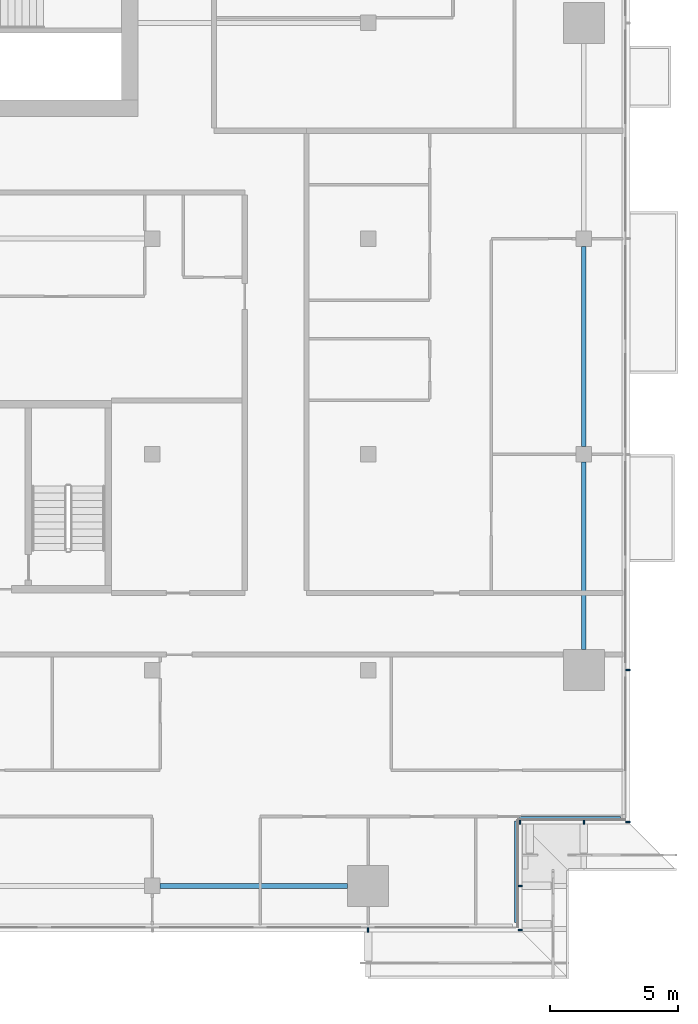
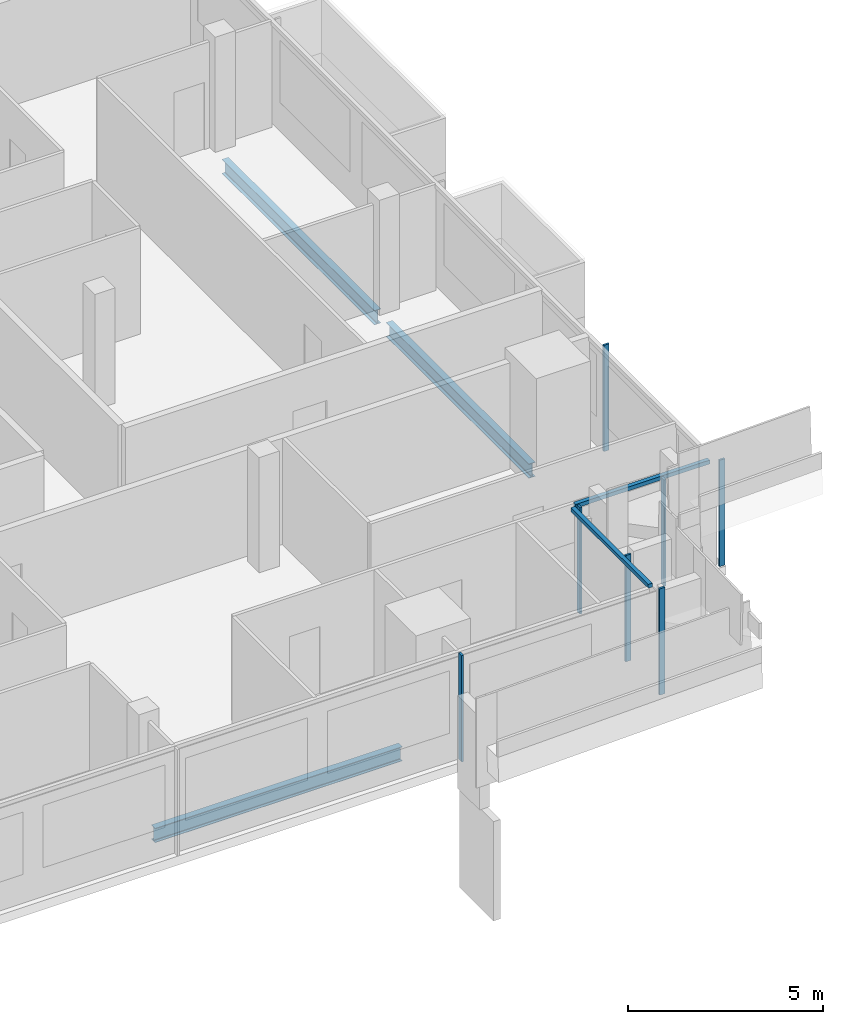
# One storey, part 11 of 30: 9 members, 3 beams, 4 elements without a shape of their own.
"""IFC4 building model written with IfcOpenShell, lengths in metres."""

from ifc_helpers import new_model, si_unit, direction, frame, origin, origin_2d, place, context, subcontext, project, spatial, rectangle, i_section, extrude, material, material_profile, profile_set, type_object, element, aggregate, save


model = new_model("IFC4")

# Units and contexts
model_context = context("Model", 3, precision=1e-05, world=origin(), true_north=direction((0.0, 1.0)))
body_context = subcontext(model_context, "Body", "Model", "MODEL_VIEW")
ifc_project = project(units=[si_unit("LENGTHUNIT", "METRE"), si_unit("AREAUNIT", "SQUARE_METRE"), si_unit("VOLUMEUNIT", "CUBIC_METRE"), si_unit("PLANEANGLEUNIT", "RADIAN"), si_unit("MASSUNIT", "GRAM", prefix="KILO")], contexts=[model_context])

# Site, building, storey
site_placement = place(None, origin())
site = spatial("IfcSite", under=ifc_project, at=site_placement, CompositionType="ELEMENT")
building_placement = place(site_placement, origin())
building = spatial("IfcBuilding", under=site, at=building_placement, Name="Saffron Gate Tower", CompositionType="ELEMENT")
storey_placement = place(building_placement, frame((0.0, 0.0, 216.300048828125)))
storey = spatial("IfcBuildingStorey", under=building, at=storey_placement, Name="L52", CompositionType="ELEMENT", Elevation=216.300048828125)

# Beams
ifc_material_1 = material(Name="Structural steel S355", Category="steel")
ifc_material_profile_1 = material_profile(ifc_material_1, i_section(OverallWidth=0.18994140625, OverallDepth=0.449951171875, WebThickness=0.009521484375, FlangeThickness=0.0146484375, FilletRadius=0.02099609375, at=origin_2d()))
ifc_profile_set_1 = profile_set([ifc_material_profile_1], Name="Structural steel S355")
beam_type = type_object("IfcBeamType", Name="B7 IPE 450", PredefinedType="SPANDREL", material=ifc_profile_set_1)
for number, where, z_axis, x_axis, name in (
    (1, (108.89990234375, 31.800048828125, -0.505126953125), (1.0, 0.0, 0.0), (0.0, 1.0, 0.0), "B7 SPANDREL BEAM"),
    (2, (125.39990234375, 41.0, -0.505126953125), (0.0, 1.0, 0.0), (-1.0, 0.0, 0.0), "B7 SPANDREL BEAM"),
):
    element("IfcBeam", number, at=place(storey_placement, frame(where, z_axis=z_axis, x_axis=x_axis)), inside=storey, type_object=beam_type, Name=name, PredefinedType="SPANDREL", context=body_context, shape_type="SweptSolid", body=[
        extrude(i_section(OverallWidth=0.18994140625, OverallDepth=0.449951171875, WebThickness=0.009521484375, FlangeThickness=0.0146484375, FilletRadius=0.02099609375, at=origin_2d()), origin(), (0.0, 0.0, 1.0), 7.300048828125),
    ])
beam_placement = place(storey_placement, frame((125.39990234375, 48.89990234375, -0.505126953125), z_axis=(0.0, 1.0, 0.0), x_axis=(-1.0, 0.0, 0.0)))
element("IfcBeam", 3, at=beam_placement, inside=storey, type_object=beam_type, Name="B7 SPANDREL BEAM", PredefinedType="SPANDREL", context=body_context, shape_type="SweptSolid", body=[
    extrude(i_section(OverallWidth=0.18994140625, OverallDepth=0.449951171875, WebThickness=0.009521484375, FlangeThickness=0.0146484375, FilletRadius=0.02099609375, at=origin_2d()), origin(), (0.0, 0.0, 1.0), 7.800048828125),
])

# Curtain wall, member
ifc_material_2 = material(Name="Aluminium, bronze anodised", Category="aluminium")
curtain_wall_type_1 = type_object("IfcCurtainWallType", Name="CWS1 curtain wall front facade", PredefinedType="NOTDEFINED", material=ifc_material_2)
curtain_wall_1_placement = place(storey_placement, origin())
curtain_wall_1 = element("IfcCurtainWall", 4, at=curtain_wall_1_placement, inside=storey, type_object=curtain_wall_type_1, Name="CWS1 run 1", PredefinedType="NOTDEFINED")
ifc_material_profile_2 = material_profile(ifc_material_2, rectangle(XDim=0.159912109375, YDim=0.06005859375, at=origin_2d()))
ifc_profile_set_2 = profile_set([ifc_material_profile_2], Name="Aluminium, bronze anodised")
member_type_1 = type_object("IfcMemberType", Name="CWS1 mullion 60x160", PredefinedType="MULLION", material=ifc_profile_set_2)
member_1_placement = place(storey_placement, frame((117.0, 30.080078125, 0.0), z_axis=(0.0, 0.0, 1.0), x_axis=(0.0, 1.0, 0.0)))
member_1 = element("IfcMember", 5, at=member_1_placement, type_object=member_type_1, Name="CWS1 mullion 9", PredefinedType="MULLION", context=body_context, shape_type="SweptSolid", body=[
    extrude(rectangle(XDim=0.159912109375, YDim=0.06005859375, at=origin_2d()), origin(), (0.0, 0.0, 1.0), 3.320068359375),
])
aggregate(curtain_wall_1, [member_1])

# Curtain wall, members
curtain_wall_type_2 = type_object("IfcCurtainWallType", Name="CWS2 curtain wall side facades", PredefinedType="NOTDEFINED", material=ifc_material_2)
curtain_wall_2_placement = place(storey_placement, origin())
curtain_wall_2 = element("IfcCurtainWall", 6, at=curtain_wall_2_placement, inside=storey, type_object=curtain_wall_type_2, Name="CWS2 run 4", PredefinedType="NOTDEFINED")
ifc_material_profile_3 = material_profile(ifc_material_2, rectangle(XDim=0.159912109375, YDim=0.06005859375, at=origin_2d()))
ifc_profile_set_3 = profile_set([ifc_material_profile_3], Name="Aluminium, bronze anodised")
member_type_2 = type_object("IfcMemberType", Name="CWS2 mullion 60x160", PredefinedType="MULLION", material=ifc_profile_set_3)
member_2_placement = place(storey_placement, frame((127.1201171875, 34.280029296875, 0.0), z_axis=(0.0, 0.0, 1.0), x_axis=(-1.0, 0.0, 0.0)))
member_2 = element("IfcMember", 7, at=member_2_placement, type_object=member_type_2, Name="CWS2 mullion 1", PredefinedType="MULLION", context=body_context, shape_type="SweptSolid", body=[
    extrude(rectangle(XDim=0.159912109375, YDim=0.06005859375, at=origin_2d()), origin(), (0.0, 0.0, 1.0), 3.320068359375),
])
member_3_placement = place(storey_placement, frame((127.1201171875, 40.199951171875, 0.0), z_axis=(0.0, 0.0, 1.0), x_axis=(-1.0, 0.0, 0.0)))
member_3 = element("IfcMember", 8, at=member_3_placement, type_object=member_type_2, Name="CWS2 mullion 2", PredefinedType="MULLION", context=body_context, shape_type="SweptSolid", body=[
    extrude(rectangle(XDim=0.159912109375, YDim=0.06005859375, at=origin_2d()), origin(), (0.0, 0.0, 1.0), 3.320068359375),
])
aggregate(curtain_wall_2, [member_2, member_3])

# Curtain wall, member
curtain_wall_type_3 = type_object("IfcCurtainWallType", Name="CWS4 curtain wall corner returns", PredefinedType="NOTDEFINED", material=ifc_material_2)
curtain_wall_3_placement = place(storey_placement, origin())
curtain_wall_3 = element("IfcCurtainWall", 9, at=curtain_wall_3_placement, inside=storey, type_object=curtain_wall_type_3, Name="CWS4 run 2", PredefinedType="NOTDEFINED")
ifc_material_profile_4 = material_profile(ifc_material_2, rectangle(XDim=0.1201171875, YDim=0.1201171875, at=origin_2d()))
ifc_profile_set_4 = profile_set([ifc_material_profile_4], Name="Aluminium, bronze anodised")
member_type_3 = type_object("IfcMemberType", Name="CWS4 head transom", PredefinedType="USERDEFINED", material=ifc_profile_set_4)
member_4_placement = place(storey_placement, frame((122.751953125, 30.367919921875, 3.260009765625), z_axis=(0.0, 1.0, 0.0), x_axis=(-1.0, 0.0, 0.0)))
member_4 = element("IfcMember", 10, at=member_4_placement, type_object=member_type_3, Name="CWS4 head transom", ObjectType="TRANSOM", PredefinedType="USERDEFINED", context=body_context, shape_type="SweptSolid", body=[
    extrude(rectangle(XDim=0.1201171875, YDim=0.1201171875, at=origin_2d()), origin(), (0.0, 0.0, 1.0), 3.9599609375),
])

curtain_wall_4_placement = place(storey_placement, origin())
curtain_wall_4 = element("IfcCurtainWall", 11, at=curtain_wall_4_placement, inside=storey, type_object=curtain_wall_type_3, Name="CWS4 run 3", PredefinedType="NOTDEFINED")
member_5_placement = place(storey_placement, frame((122.8720703125, 34.447998046875, 3.260009765625), z_axis=(1.0, 0.0, 0.0), x_axis=(0.0, 1.0, 0.0)))
member_5 = element("IfcMember", 12, at=member_5_placement, type_object=member_type_3, Name="CWS4 head transom", ObjectType="TRANSOM", PredefinedType="USERDEFINED", context=body_context, shape_type="SweptSolid", body=[
    extrude(rectangle(XDim=0.1201171875, YDim=0.1201171875, at=origin_2d()), origin(), (0.0, 0.0, 1.0), 3.9599609375),
])

# Member
ifc_material_profile_5 = material_profile(ifc_material_2, rectangle(XDim=0.159912109375, YDim=0.06005859375, at=origin_2d()))
ifc_profile_set_5 = profile_set([ifc_material_profile_5], Name="Aluminium, bronze anodised")
member_type_4 = type_object("IfcMemberType", Name="CWS4 mullion 60x160", PredefinedType="MULLION", material=ifc_profile_set_5)
member_6_placement = place(storey_placement, frame((122.919921875, 30.080078125, 0.0), z_axis=(0.0, 0.0, 1.0), x_axis=(-1.0, 0.0, 0.0)))
member_6 = element("IfcMember", 13, at=member_6_placement, type_object=member_type_4, Name="CWS4 mullion 1", PredefinedType="MULLION", context=body_context, shape_type="SweptSolid", body=[
    extrude(rectangle(XDim=0.159912109375, YDim=0.06005859375, at=origin_2d()), origin(), (0.0, 0.0, 1.0), 3.320068359375),
])

member_7_placement = place(storey_placement, frame((122.919921875, 31.800048828125, 0.0), z_axis=(0.0, 0.0, 1.0), x_axis=(-1.0, 0.0, 0.0)))
member_7 = element("IfcMember", 14, at=member_7_placement, type_object=member_type_4, Name="CWS4 mullion 2", PredefinedType="MULLION", context=body_context, shape_type="SweptSolid", body=[
    extrude(rectangle(XDim=0.159912109375, YDim=0.06005859375, at=origin_2d()), origin(), (0.0, 0.0, 1.0), 3.320068359375),
])

aggregate(curtain_wall_3, [member_6, member_7, member_4])

member_8_placement = place(storey_placement, frame((122.919921875, 34.280029296875, 0.0), z_axis=(0.0, 0.0, 1.0), x_axis=(0.0, 1.0, 0.0)))
member_8 = element("IfcMember", 15, at=member_8_placement, type_object=member_type_4, Name="CWS4 mullion 1", PredefinedType="MULLION", context=body_context, shape_type="SweptSolid", body=[
    extrude(rectangle(XDim=0.159912109375, YDim=0.06005859375, at=origin_2d()), origin(), (0.0, 0.0, 1.0), 3.320068359375),
])

member_9_placement = place(storey_placement, frame((125.39990234375, 34.280029296875, 0.0), z_axis=(0.0, 0.0, 1.0), x_axis=(0.0, 1.0, 0.0)))
member_9 = element("IfcMember", 16, at=member_9_placement, type_object=member_type_4, Name="CWS4 mullion 2", PredefinedType="MULLION", context=body_context, shape_type="SweptSolid", body=[
    extrude(rectangle(XDim=0.159912109375, YDim=0.06005859375, at=origin_2d()), origin(), (0.0, 0.0, 1.0), 3.320068359375),
])

aggregate(curtain_wall_4, [member_8, member_9, member_5])

save(model, "model.ifc")
